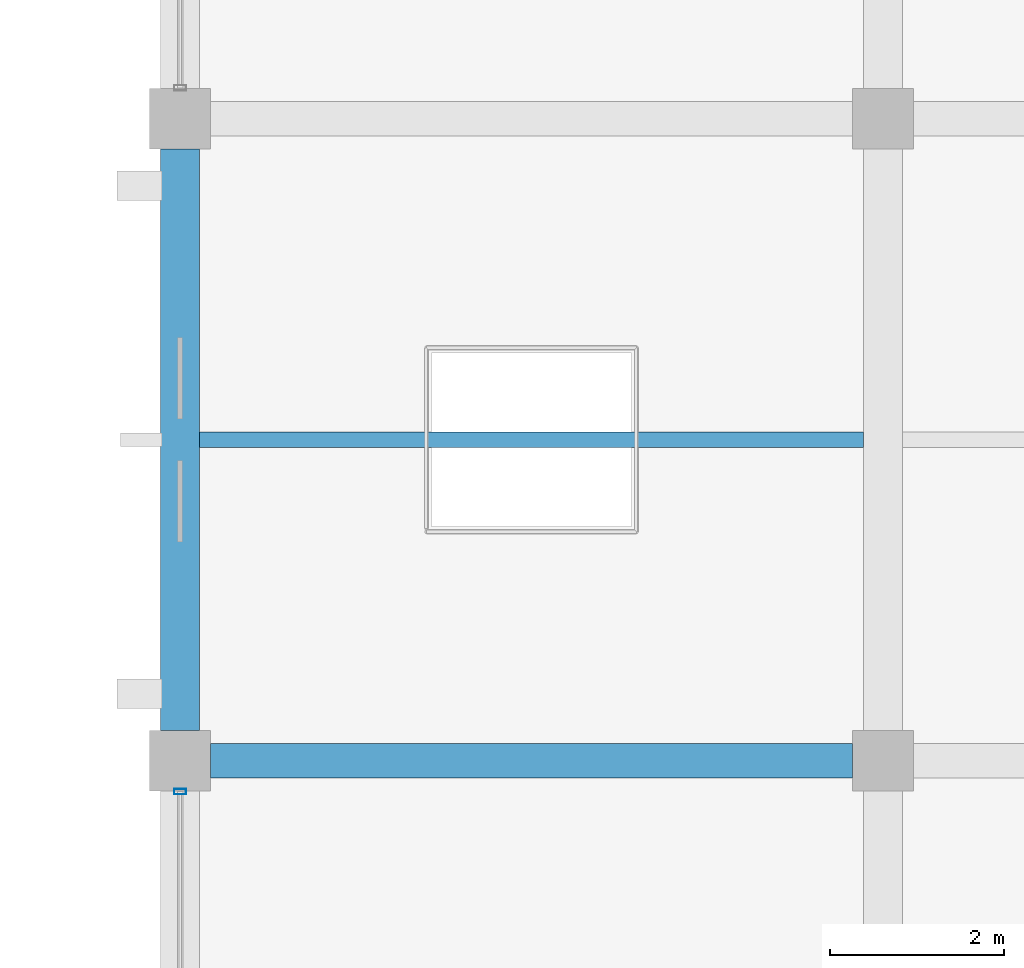
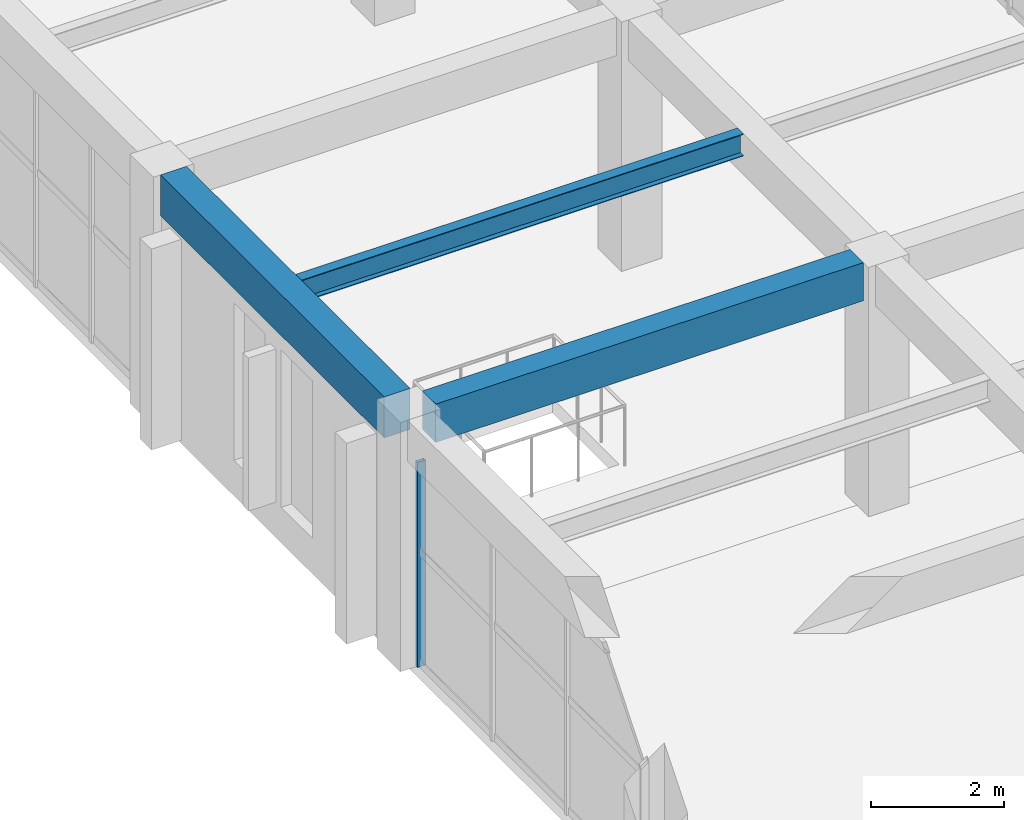
# One storey, part 72 of 161: 3 beams, 1 member, 1 element without a shape of its own.
"""IFC4 building model written with IfcOpenShell, lengths in metres."""

from ifc_helpers import new_model, si_unit, direction, frame, origin, origin_2d, place, context, subcontext, project, spatial, rectangle, hollow_rectangle, i_section, extrude, material, material_profile, profile_set, type_object, element, aggregate, save


model = new_model("IFC4")

# Units and contexts
model_context = context("Model", 3, precision=1e-05, world=origin(), true_north=direction((0.0, 1.0)))
body_context = subcontext(model_context, "Body", "Model", "MODEL_VIEW")
ifc_project = project(units=[si_unit("LENGTHUNIT", "METRE"), si_unit("AREAUNIT", "SQUARE_METRE"), si_unit("VOLUMEUNIT", "CUBIC_METRE"), si_unit("PLANEANGLEUNIT", "RADIAN"), si_unit("MASSUNIT", "GRAM", prefix="KILO")], contexts=[model_context])

# Site, building, storey
site_placement = place(None, origin())
site = spatial("IfcSite", under=ifc_project, at=site_placement, CompositionType="ELEMENT")
building_placement = place(site_placement, origin())
building = spatial("IfcBuilding", under=site, at=building_placement, Name="Cimatlan Art Gallery", CompositionType="ELEMENT")
storey_placement = place(building_placement, frame((0.0, 0.0, 5.39990234375)))
storey = spatial("IfcBuildingStorey", under=building, at=storey_placement, Name="L01", CompositionType="ELEMENT", Elevation=5.39990234375)

# Beams
ifc_material_1 = material(Name="Concrete C40/50", Category="concrete")
ifc_material_profile_1 = material_profile(ifc_material_1, rectangle(XDim=0.39990234375, YDim=0.699951171875, at=origin_2d()), Name="RC400X700")
ifc_profile_set_1 = profile_set([ifc_material_profile_1], Name="Concrete C40/50")
beam_type_1 = type_object("IfcBeamType", Name="BM-RC-400X700", PredefinedType="BEAM", material=ifc_profile_set_1)
beam_1_placement = place(storey_placement, frame((34.75, 75.699951171875, 4.210205078125), z_axis=(1.0, 0.0, 0.0), x_axis=(0.0, 1.0, 0.0)))
element("IfcBeam", 1, at=beam_1_placement, inside=storey, type_object=beam_type_1, Name="BM-X-L01-04-10", PredefinedType="BEAM", context=body_context, shape_type="SweptSolid", body=[
    extrude(rectangle(XDim=0.39990234375, YDim=0.699951171875, at=origin_2d()), origin(), (0.0, 0.0, 1.0), 7.39990234375),
])
ifc_material_profile_2 = material_profile(ifc_material_1, rectangle(XDim=0.449951171875, YDim=0.75, at=origin_2d()), Name="RC450X750")
ifc_profile_set_2 = profile_set([ifc_material_profile_2], Name="Concrete C40/50")
beam_type_2 = type_object("IfcBeamType", Name="BM-RC-450X750", PredefinedType="BEAM", material=ifc_profile_set_2)
beam_2_placement = place(storey_placement, frame((34.39990234375, 76.050048828125, 4.18505859375), z_axis=(0.0, 1.0, 0.0), x_axis=(-1.0, 0.0, 0.0)))
element("IfcBeam", 2, at=beam_2_placement, inside=storey, type_object=beam_type_2, Name="BM-Y-L01-04-10", PredefinedType="BEAM", context=body_context, shape_type="SweptSolid", body=[
    extrude(rectangle(XDim=0.449951171875, YDim=0.75, at=origin_2d()), origin(), (0.0, 0.0, 1.0), 6.699951171875),
])
ifc_material_2 = material(Name="Steel ASTM A992 Grade 50", Category="steel")
ifc_material_profile_3 = material_profile(ifc_material_2, i_section(OverallWidth=0.177978515625, OverallDepth=0.406982421875, WebThickness=0.0078125, FlangeThickness=0.0126953125, at=origin_2d()), Name="W16X40")
ifc_profile_set_3 = profile_set([ifc_material_profile_3], Name="Steel ASTM A992 Grade 50")
beam_type_3 = type_object("IfcBeamType", Name="BM-STL-W16X40", PredefinedType="JOIST", material=ifc_profile_set_3)
beam_3_placement = place(storey_placement, frame((34.625, 79.39990234375, 4.356689453125), z_axis=(1.0, 0.0, 0.0), x_axis=(0.0, 1.0, 0.0)))
element("IfcBeam", 3, at=beam_3_placement, inside=storey, type_object=beam_type_3, Name="JST-L01-04-10", PredefinedType="JOIST", context=body_context, shape_type="SweptSolid", body=[
    extrude(i_section(OverallWidth=0.177978515625, OverallDepth=0.406982421875, WebThickness=0.0078125, FlangeThickness=0.0126953125, at=origin_2d()), origin(), (0.0, 0.0, 1.0), 7.64990234375),
])

# Curtain wall, member
ifc_material_3 = material(Name="Anodised bronze unitised curtain wall")
curtain_wall_type = type_object("IfcCurtainWallType", Name="CW-V-06692X03750-B3", PredefinedType="NOTDEFINED", material=ifc_material_3)
curtain_wall_placement = place(storey_placement, origin())
curtain_wall = element("IfcCurtainWall", 4, at=curtain_wall_placement, inside=storey, type_object=curtain_wall_type, Name="CW-L01-04-09-W", PredefinedType="NOTDEFINED")
ifc_material_4 = material(Name="Anodised bronze aluminium 6063-T6", Category="aluminium")
ifc_material_profile_4 = material_profile(ifc_material_4, hollow_rectangle(XDim=0.06494140625, YDim=0.139892578125, WallThickness=0.00390625, at=origin_2d()), Name="ALU65X140X4")
ifc_profile_set_4 = profile_set([ifc_material_profile_4], Name="Anodised bronze aluminium 6063-T6")
member_type = type_object("IfcMemberType", Name="CW-MUL-140", PredefinedType="MULLION", material=ifc_profile_set_4)
member_placement = place(storey_placement, frame((34.39990234375, 75.345947265625, 0.0), z_axis=(0.0, 0.0, 1.0), x_axis=(0.0, 1.0, 0.0)))
member = element("IfcMember", 5, at=member_placement, type_object=member_type, Name="CW-L01-04-09-W-M4", PredefinedType="MULLION", context=body_context, shape_type="SweptSolid", body=[
    extrude(hollow_rectangle(XDim=0.06494140625, YDim=0.139892578125, WallThickness=0.00390625, at=origin_2d()), origin(), (0.0, 0.0, 1.0), 3.75),
])
aggregate(curtain_wall, [member])

save(model, "model.ifc")
